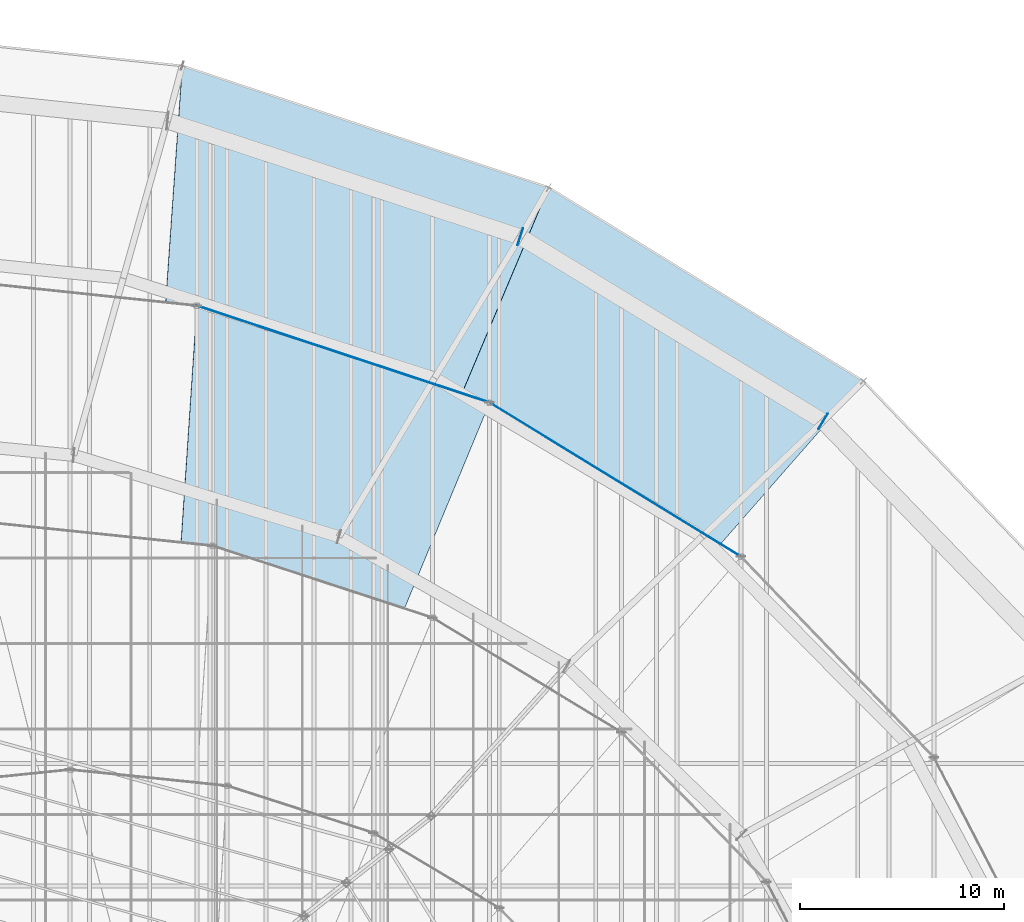
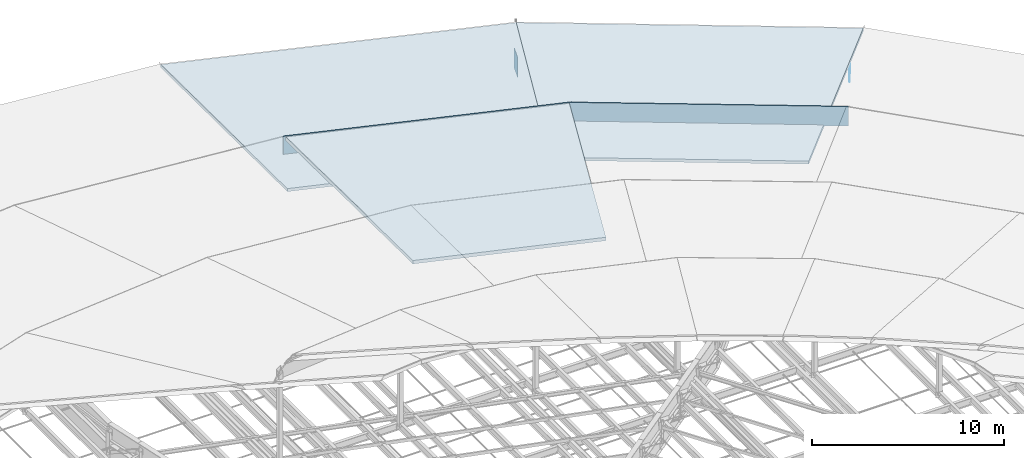
# One storey, part 155 of 184: 4 plates, 3 slabs.
"""IFC4 building model written with IfcOpenShell, lengths in metres."""

from ifc_helpers import new_model, si_unit, direction, frame, origin, origin_2d, place, context, subcontext, project, spatial, polyline, rectangle, outline, extrude, material, layer, layer_set, type_object, element, save


model = new_model("IFC4")

# Units and contexts
model_context = context("Model", 3, precision=1e-05, world=origin(), true_north=direction((0.0, 1.0)))
body_context = subcontext(model_context, "Body", "Model", "MODEL_VIEW")
ifc_project = project(units=[si_unit("LENGTHUNIT", "METRE"), si_unit("AREAUNIT", "SQUARE_METRE"), si_unit("VOLUMEUNIT", "CUBIC_METRE"), si_unit("PLANEANGLEUNIT", "RADIAN"), si_unit("MASSUNIT", "GRAM", prefix="KILO")], contexts=[model_context])

# Site, building, storey
site_placement = place(None, origin())
site = spatial("IfcSite", under=ifc_project, at=site_placement, CompositionType="ELEMENT")
building_placement = place(site_placement, origin())
building = spatial("IfcBuilding", under=site, at=building_placement, Name="Kalgoora Escarpment Arena", CompositionType="ELEMENT")
storey_placement = place(building_placement, frame((0.0, 0.0, 27.60009765625)))
storey = spatial("IfcBuildingStorey", under=building, at=storey_placement, Name="Roof Level", CompositionType="ELEMENT", Elevation=27.60009765625)

# Plates
ifc_material_1 = material(Name="Low-E double-glazed petal clerestory glass", Category="glass")
ifc_layer_1 = layer(ifc_material_1, 0.035888671875)
ifc_layer_set_1 = layer_set([ifc_layer_1], Name="PLT-PETAL-CLERESTORY")
plate_type_1 = type_object("IfcPlateType", Name="PLT-PETAL-CLERESTORY", PredefinedType="USERDEFINED", material=ifc_layer_set_1)
plate_1_placement = place(storey_placement, frame((132.9716796875, 101.440673828125, 0.260009765625), z_axis=(0.0, 0.0, 1.0), x_axis=(-0.852640164354, 0.522498564716, 0.0)))
element("IfcPlate", 1, at=plate_1_placement, inside=storey, type_object=plate_type_1, Name="Petal RP2 glazed clerestory collar panel S04", ObjectType="CLERESTORY PANEL", PredefinedType="USERDEFINED", context=body_context, shape_type="SweptSolid", body=[
    extrude(rectangle(XDim=14.694091796875, YDim=0.0400390625, at=origin_2d()), origin(), (0.0, 0.0, 1.0), 1.25),
])
plate_2_placement = place(storey_placement, frame((119.61279296875, 107.600341796875, 0.260009765625), z_axis=(0.0, 0.0, 1.0), x_axis=(-0.94937066116, 0.31415815719, 0.0)))
element("IfcPlate", 2, at=plate_2_placement, inside=storey, type_object=plate_type_1, Name="Petal RP2 glazed clerestory collar panel S05", ObjectType="CLERESTORY PANEL", PredefinedType="USERDEFINED", context=body_context, shape_type="SweptSolid", body=[
    extrude(rectangle(XDim=15.36767578125, YDim=0.0400390625, at=origin_2d()), origin(), (0.0, 0.0, 1.0), 1.25),
])
ifc_material_2 = material(Name="Structural steel Grade 350 (350 MPa)", Category="steel")
ifc_layer_2 = layer(ifc_material_2, 0.031982421875)
ifc_layer_set_2 = layer_set([ifc_layer_2], Name="PLT-RING-DIAPH")
plate_type_2 = type_object("IfcPlateType", Name="PLT-RING-DIAPH", PredefinedType="USERDEFINED", material=ifc_layer_set_2)
for number, where, z_axis, x_axis, name in (
    (3, (143.17041015625, 104.30517578125, -2.09033203125), (0.0, 0.0, 1.0), (-0.854005138885, 0.520264569962, 0.0), "Compression ring node diaphragm plate 04"),
    (4, (128.300048828125, 113.36328125, -2.09033203125), (0.0, 0.0, 1.0), (-0.949972051525, 0.312334918512, 0.0), "Compression ring node diaphragm plate 05"),
):
    element("IfcPlate", number, at=place(storey_placement, frame(where, z_axis=z_axis, x_axis=x_axis)), inside=storey, type_object=plate_type_2, Name=name, ObjectType="FLANGE PLATE", PredefinedType="USERDEFINED", context=body_context, shape_type="SweptSolid", body=[
        extrude(rectangle(XDim=0.031982421875, YDim=0.8798828125, at=origin_2d()), origin(), (0.0, 0.0, 1.0), 1.280029296875),
    ])

# Slabs
ifc_material_3 = material(Name="White acoustic composite Concrete N40 (fc' 40 MPa)", Category="concrete")
ifc_layer_3 = layer(ifc_material_3, 0.179931640625)
ifc_layer_set_3 = layer_set([ifc_layer_3], Name="SLB-PETAL-RP1")
slab_type_1 = type_object("IfcSlabType", Name="SLB-PETAL-RP1", PredefinedType="ROOF", material=ifc_layer_set_3)
slab_1_placement = place(storey_placement, frame((145.150146484375, 106.284912109375, -0.840087890625), z_axis=(0.057614167977, 0.093678645076, 0.993934061749), x_axis=(-0.851766808308, 0.523921085874, -6.420427e-06)))
element("IfcSlab", 5, at=slab_1_placement, inside=storey, type_object=slab_type_1, Name="Shifted white roof petal RP1 sector 04", PredefinedType="ROOF", context=body_context, shape_type="SweptSolid", body=[
    extrude(outline(polyline([(0.0, 0.0), (18.139004610767053, 1.7763568394002505e-15), (15.907318563141951, 14.576867671408623), (2.4543482487171984, 14.548384413233435), (0.0, 0.0)])), origin(), (0.0, 0.0, -1.0), 0.179931640625),
])
slab_2_placement = place(storey_placement, frame((129.699951171875, 115.788330078125, -0.840087890625), z_axis=(0.034287531571, 0.103284030005, 0.994060749816), x_axis=(-0.949049922912, 0.315125758663, -6.92022e-06)))
element("IfcSlab", 6, at=slab_2_placement, inside=storey, type_object=slab_type_1, Name="Shifted white roof petal RP1 sector 05", PredefinedType="ROOF", context=body_context, shape_type="SweptSolid", body=[
    extrude(outline(polyline([(0.0, 0.0), (18.957851900263623, -8.881784197001252e-16), (15.214689120615175, 14.722101852074857), (1.1426753030022738, 14.702054370660884), (0.0, 0.0)])), origin(), (0.0, 0.0, -1.0), 0.179931640625),
])
ifc_material_4 = material(Name="White acoustic composite Concrete N40 (fc' 40 MPa)", Category="concrete")
ifc_layer_4 = layer(ifc_material_4, 0.205078125)
ifc_layer_set_4 = layer_set([ifc_layer_4], Name="SLB-PETAL-RP2")
slab_type_2 = type_object("IfcSlabType", Name="SLB-PETAL-RP2", PredefinedType="ROOF", material=ifc_layer_set_4)
slab_3_placement = place(storey_placement, frame((126.800048828125, 105.222900390625, 1.449951171875), z_axis=(0.034262699128, 0.103546302573, 0.994034320671), x_axis=(-0.949401313905, 0.314065510806, 8.781548e-06)))
element("IfcSlab", 7, at=slab_3_placement, inside=storey, type_object=slab_type_2, Name="Shifted white roof petal RP2 sector 05", PredefinedType="ROOF", context=body_context, shape_type="SweptSolid", body=[
    extrude(outline(polyline([(0.0, 0.0), (15.140601688008516, -2.6645352591003757e-15), (11.364518730630149, 14.710056050086461), (1.0642227193650509, 14.669574218406938), (0.0, 0.0)])), origin(), (0.0, 0.0, -1.0), 0.205078125),
])

save(model, "model.ifc")
